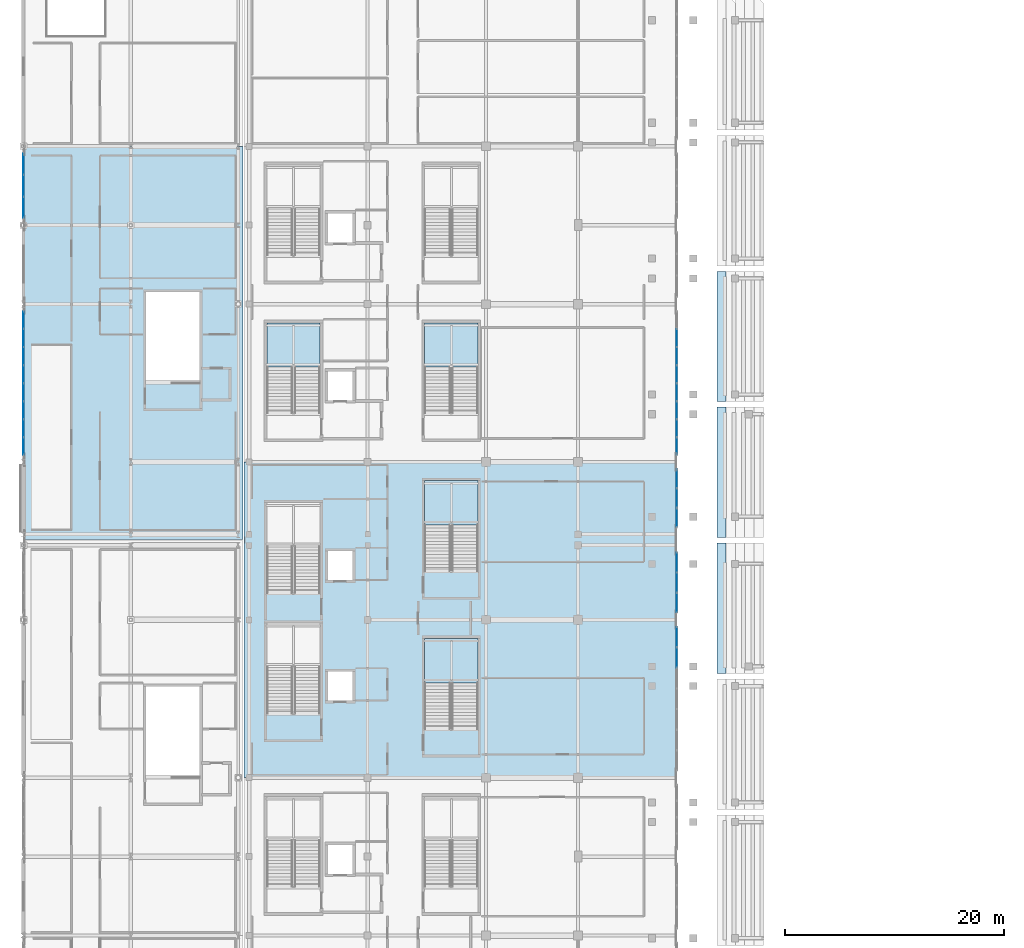
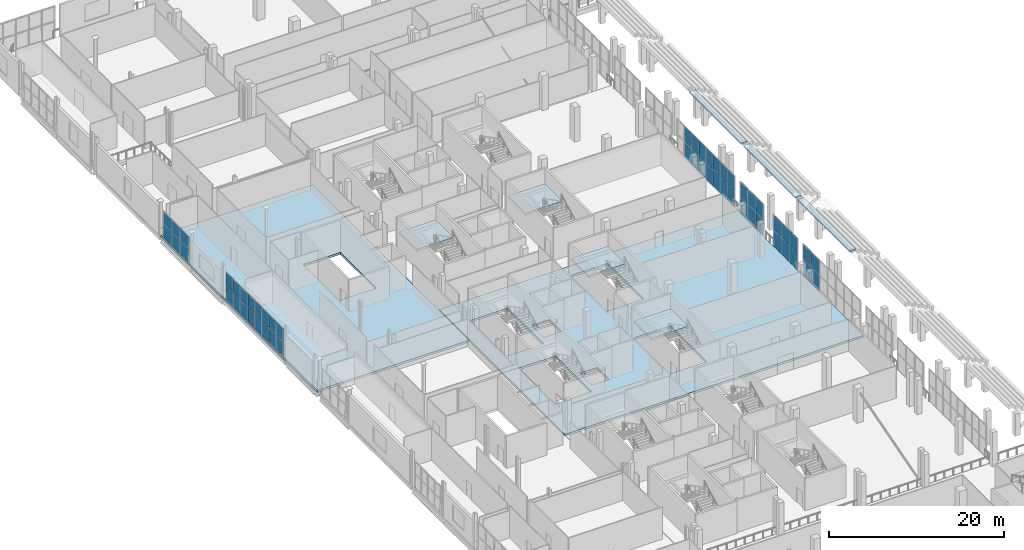
# One storey, part 76 of 142: 52 plates, 9 slabs, 10 elements without a shape of their own.
"""IFC4 building model written with IfcOpenShell, lengths in metres."""

import ifcopenshell
import ifcopenshell.guid

model = None  # the IFC model being written
_history = None  # IfcOwnerHistory: only IFC2X3 demands one
_inside = {}  # id of a spatial element -> (the spatial element, [elements in it])
_under = {}  # id of a project, library or spatial element -> (it, [spatial elements below it])
_declared = {}  # id of a project -> (the project, [libraries it declares])
_typed = {}  # id of a type object -> (the type object, [elements of that type])
_made_of = {}  # id of a material, layer set ... -> (it, [elements and type objects made of it])


def new_model(schema):
    """Start an empty IFC model of exactly this schema.

    Asked for "IFC4X3", IfcOpenShell would pick the latest addendum, in which some entities
    have other attributes; the version numbers below select the first issue.
    IFC2X3 requires an IfcOwnerHistory on every rooted entity: one is made here for all.
    """
    global model, _history
    if schema == "IFC4X3":
        model = ifcopenshell.file(schema_version=(4, 3, 0, 0))
    else:
        model = ifcopenshell.file(schema=schema)
    _inside.clear()
    _under.clear()
    _declared.clear()
    _typed.clear()
    _made_of.clear()
    _history = None
    if model.schema == "IFC2X3":
        org = make("IfcOrganization", Name="unknown")
        user = make(
            "IfcPersonAndOrganization",
            ThePerson=make("IfcPerson", FamilyName="unknown"),
            TheOrganization=org,
        )
        app = make(
            "IfcApplication",
            ApplicationDeveloper=org,
            Version="unknown",
            ApplicationFullName="unknown",
            ApplicationIdentifier="unknown",
        )
        _history = make(
            "IfcOwnerHistory",
            OwningUser=user,
            OwningApplication=app,
            ChangeAction="ADDED",
            CreationDate=0,
        )
    return model


def make(cls, **values):
    """One entity of the class cls with the attributes given. An attribute that is None is left unset."""
    return model.create_entity(
        cls, **{name: value for name, value in values.items() if value is not None}
    )


def rooted(cls, **values):
    """An entity with a GlobalId (a new one), such as an element, a storey or a relation."""
    return make(cls, GlobalId=ifcopenshell.guid.new(), OwnerHistory=_history, **values)


def si_unit(unit_type, name, prefix=None):
    """IfcSIUnit, for example si_unit("LENGTHUNIT", "METRE", prefix="MILLI")."""
    return make("IfcSIUnit", UnitType=unit_type, Prefix=prefix, Name=name)


def assignment(units):
    """IfcUnitAssignment: the units of a project."""
    return None if units is None else make("IfcUnitAssignment", Units=units)


def point(xyz):
    """IfcCartesianPoint."""
    return None if xyz is None else make("IfcCartesianPoint", Coordinates=xyz)


def direction(xyz):
    """IfcDirection."""
    return None if xyz is None else make("IfcDirection", DirectionRatios=xyz)


def frame(location, z_axis=None, x_axis=None):
    """IfcAxis2Placement3D, a coordinate frame: its origin and axes. An axis left out is left unset."""
    return make(
        "IfcAxis2Placement3D",
        Location=point(location),
        Axis=direction(z_axis),
        RefDirection=direction(x_axis),
    )


def frame_2d(location, x_axis=None):
    """IfcAxis2Placement2D, a coordinate frame in the plane: its origin and x axis."""
    return make(
        "IfcAxis2Placement2D", Location=point(location), RefDirection=direction(x_axis)
    )


def origin():
    """The frame at (0, 0, 0) with its axes left unset."""
    return frame((0.0, 0.0, 0.0))


def origin_2d():
    """The frame at (0, 0) in the plane with its x axis left unset."""
    return frame_2d((0.0, 0.0))


def place(relative_to, where):
    """IfcLocalPlacement: puts the frame where relative to a parent placement (None: the world)."""
    return make(
        "IfcLocalPlacement", PlacementRelTo=relative_to, RelativePlacement=where
    )


def context(
    kind, dimensions, precision=None, world=None, true_north=None, identifier=None
):
    """IfcGeometricRepresentationContext, for example the 3D "Model" context."""
    return make(
        "IfcGeometricRepresentationContext",
        ContextIdentifier=identifier,
        ContextType=kind,
        CoordinateSpaceDimension=dimensions,
        Precision=precision,
        WorldCoordinateSystem=world,
        TrueNorth=true_north,
    )


def subcontext(parent, identifier, kind, view, scale=None):
    """IfcGeometricRepresentationSubContext, for example "Body" below "Model"."""
    return make(
        "IfcGeometricRepresentationSubContext",
        ContextIdentifier=identifier,
        ContextType=kind,
        ParentContext=parent,
        TargetScale=scale,
        TargetView=view,
    )


def project(units=None, contexts=None):
    """IfcProject with its units and contexts."""
    return rooted(
        "IfcProject",
        Name="project",
        RepresentationContexts=contexts,
        UnitsInContext=assignment(units),
    )


def spatial(cls, under=None, at=None, **own):
    """A site, building, storey or space (cls), placed at a placement, below another one or the project."""
    s = rooted(cls, ObjectPlacement=at, **own)
    if under is not None:
        _under.setdefault(under.id(), (under, []))[1].append(s)
    return s


def polyline(points):
    """IfcPolyline through the points."""
    return make("IfcPolyline", Points=[point(p) for p in points])


def profile(cls, at=None, kind="AREA", **sizes):
    """A parametric profile (cls). Its sizes go by their IFC names, for example OverallWidth=200.0."""
    return make(cls, ProfileType=kind, Position=at, **sizes)


def rectangle(**sizes):
    """IfcRectangleProfileDef."""
    return profile("IfcRectangleProfileDef", **sizes)


def outline(outer, holes=None, kind="AREA"):
    """IfcArbitraryClosedProfileDef: a profile drawn as a closed curve; with holes, ...WithVoids."""
    if holes is None:
        return make("IfcArbitraryClosedProfileDef", ProfileType=kind, OuterCurve=outer)
    return make(
        "IfcArbitraryProfileDefWithVoids",
        ProfileType=kind,
        OuterCurve=outer,
        InnerCurves=holes,
    )


def extrude(swept, where, along, depth):
    """IfcExtrudedAreaSolid: the profile swept, set in the frame where, extruded along a direction by depth."""
    return make(
        "IfcExtrudedAreaSolid",
        SweptArea=swept,
        Position=where,
        ExtrudedDirection=direction(along),
        Depth=depth,
    )


def shape(context_of_items, identifier, shape_type, items):
    """IfcShapeRepresentation: the items that make up one representation, for example the "Body"."""
    return make(
        "IfcShapeRepresentation",
        ContextOfItems=context_of_items,
        RepresentationIdentifier=identifier,
        RepresentationType=shape_type,
        Items=items,
    )


def material(Name=None, Category=None):
    """IfcMaterial."""
    return make("IfcMaterial", Name=Name, Category=Category)


def layer(
    of_material, thickness, ventilated=None, Name=None, Category=None, Priority=None
):
    """IfcMaterialLayer: one layer of a wall or slab, of a material (None: an air gap)."""
    return make(
        "IfcMaterialLayer",
        Material=of_material,
        LayerThickness=thickness,
        IsVentilated=ventilated,
        Name=Name,
        Category=Category,
        Priority=Priority,
    )


def layer_set(layers, Name=None):
    """IfcMaterialLayerSet."""
    return make("IfcMaterialLayerSet", MaterialLayers=layers, LayerSetName=Name)


def made_of(thing, what):
    """Note that an element or type object is made of a material, layer set ...; save() writes the relation."""
    if what is not None:
        _made_of.setdefault(what.id(), (what, []))[1].append(thing)
    return thing


def type_object(cls, material=None, **own):
    """A type object (cls), such as IfcWallType, which elements share."""
    return made_of(rooted(cls, **own), material)


def element(
    cls,
    number,
    at=None,
    inside=None,
    cuts=None,
    type_object=None,
    material=None,
    context=None,
    identifier="Body",
    shape_type=None,
    held_by="IfcProductDefinitionShape",
    body=None,
    shapes=None,
    **own,
):
    """One element of the class cls, such as IfcWall. Its Tag is "e" and its number.

    at: its placement. inside: the storey or other place that contains it. cuts: it is an
    opening in that element (IfcRelVoidsElement). A single representation is given by context,
    identifier, shape_type and body (its items); several are given by shapes. held_by: the class
    of the entity that holds the representations. save() writes the other relations.
    """
    e = rooted(cls, Tag="e%d" % number, ObjectPlacement=at, **own)
    if body is not None:
        shapes = [shape(context, identifier, shape_type, body)]
    if shapes is not None:
        e.Representation = make(held_by, Representations=shapes)
    if inside is not None:
        _inside.setdefault(inside.id(), (inside, []))[1].append(e)
    if cuts is not None:
        rooted(
            "IfcRelVoidsElement", RelatingBuildingElement=cuts, RelatedOpeningElement=e
        )
    if type_object is not None:
        _typed.setdefault(type_object.id(), (type_object, []))[1].append(e)
    return made_of(e, material)


def aggregate(whole, parts):
    """IfcRelAggregates: a whole, such as a stair, and the parts it consists of."""
    return rooted("IfcRelAggregates", RelatingObject=whole, RelatedObjects=parts)


def save(model, path):
    """Write the relations noted so far, then the file.

    IfcRelAggregates (storeys below a building ...), IfcRelContainedInSpatialStructure (elements
    in a storey), IfcRelDefinesByType, IfcRelAssociatesMaterial and IfcRelDeclares: one each for
    every whole, place, type object, material and project.
    """
    for whole, parts in _under.values():
        aggregate(whole, parts)
    for where, things in _inside.values():
        rooted(
            "IfcRelContainedInSpatialStructure",
            RelatedElements=things,
            RelatingStructure=where,
        )
    for kind, things in _typed.values():
        rooted("IfcRelDefinesByType", RelatedObjects=things, RelatingType=kind)
    for what, things in _made_of.values():
        rooted("IfcRelAssociatesMaterial", RelatedObjects=things, RelatingMaterial=what)
    for by, libraries in _declared.values():
        rooted("IfcRelDeclares", RelatingContext=by, RelatedDefinitions=libraries)
    model.write(path)


model = new_model("IFC4")

# Units and contexts
model_context = context("Model", 3, precision=1e-05, world=origin(), true_north=direction((0.0, 1.0)))
body_context = subcontext(model_context, "Body", "Model", "MODEL_VIEW")
ifc_project = project(units=[si_unit("LENGTHUNIT", "METRE"), si_unit("AREAUNIT", "SQUARE_METRE"), si_unit("VOLUMEUNIT", "CUBIC_METRE"), si_unit("PLANEANGLEUNIT", "RADIAN"), si_unit("MASSUNIT", "GRAM", prefix="KILO")], contexts=[model_context])

# Site, building, storey
site_placement = place(None, origin())
site = spatial("IfcSite", under=ifc_project, at=site_placement, CompositionType="ELEMENT")
building_placement = place(site_placement, origin())
building = spatial("IfcBuilding", under=site, at=building_placement, Name="Koshinbarg Plaza Stadium", CompositionType="ELEMENT")
storey_placement = place(building_placement, frame((0.0, 0.0, 10.199951171875)))
storey = spatial("IfcBuildingStorey", under=building, at=storey_placement, Name="L02", CompositionType="ELEMENT", Elevation=10.199951171875)

# Curtain wall, plates
ifc_material_1 = material(Name="Thermally broken anodised aluminium and low-E double glazing", Category="aluminium")
curtain_wall_type_1 = type_object("IfcCurtainWallType", Name="CW-SYS-11", PredefinedType="NOTDEFINED", material=ifc_material_1)
curtain_wall_1_placement = place(storey_placement, origin())
curtain_wall_1 = element("IfcCurtainWall", 1, at=curtain_wall_1_placement, inside=storey, type_object=curtain_wall_type_1, Name="L02 unitised curtain wall CW-L02-042", PredefinedType="NOTDEFINED")
ifc_material_2 = material(Name="Solar-control low-E double glazing unit", Category="glass")
ifc_layer_1 = layer(ifc_material_2, 0.028076171875)
ifc_layer_set_1 = layer_set([ifc_layer_1], Name="Solar-control low-E double glazing unit")
plate_type_1 = type_object("IfcPlateType", Name="CW-PNL-28", PredefinedType="CURTAIN_PANEL", material=ifc_layer_set_1)
plate_1_placement = place(storey_placement, frame((4.0, 84.5576171875, 0.06005859375), z_axis=(0.0, 0.0, 1.0), x_axis=(0.0, 1.0, 0.0)))
plate_1 = element("IfcPlate", 2, at=plate_1_placement, type_object=plate_type_1, Name="CW11 panel 1.1", PredefinedType="CURTAIN_PANEL", context=body_context, shape_type="SweptSolid", body=[
    extrude(rectangle(XDim=1.554931640625, YDim=0.028076171875, at=origin_2d()), origin(), (0.0, 0.0, 1.0), 1.974365234375),
])
plate_2_placement = place(storey_placement, frame((4.0, 84.5576171875, 2.09423828125), z_axis=(0.0, 0.0, 1.0), x_axis=(0.0, 1.0, 0.0)))
plate_2 = element("IfcPlate", 3, at=plate_2_placement, type_object=plate_type_1, Name="CW11 panel 1.2", PredefinedType="CURTAIN_PANEL", context=body_context, shape_type="SweptSolid", body=[
    extrude(rectangle(XDim=1.554931640625, YDim=0.028076171875, at=origin_2d()), origin(), (0.0, 0.0, 1.0), 1.815673828125),
])
plate_3_placement = place(storey_placement, frame((4.0, 86.1875, 0.06005859375), z_axis=(0.0, 0.0, 1.0), x_axis=(0.0, 1.0, 0.0)))
plate_3 = element("IfcPlate", 4, at=plate_3_placement, type_object=plate_type_1, Name="CW11 panel 2.1", PredefinedType="CURTAIN_PANEL", context=body_context, shape_type="SweptSolid", body=[
    extrude(rectangle(XDim=1.5849609375, YDim=0.028076171875, at=origin_2d()), origin(), (0.0, 0.0, 1.0), 1.974365234375),
])
plate_4_placement = place(storey_placement, frame((4.0, 86.1875, 2.09423828125), z_axis=(0.0, 0.0, 1.0), x_axis=(0.0, 1.0, 0.0)))
plate_4 = element("IfcPlate", 5, at=plate_4_placement, type_object=plate_type_1, Name="CW11 panel 2.2", PredefinedType="CURTAIN_PANEL", context=body_context, shape_type="SweptSolid", body=[
    extrude(rectangle(XDim=1.5849609375, YDim=0.028076171875, at=origin_2d()), origin(), (0.0, 0.0, 1.0), 1.815673828125),
])
plate_5_placement = place(storey_placement, frame((4.0, 87.83251953125, 0.06005859375), z_axis=(0.0, 0.0, 1.0), x_axis=(0.0, 1.0, 0.0)))
plate_5 = element("IfcPlate", 6, at=plate_5_placement, type_object=plate_type_1, Name="CW11 panel 3.1", PredefinedType="CURTAIN_PANEL", context=body_context, shape_type="SweptSolid", body=[
    extrude(rectangle(XDim=1.5849609375, YDim=0.028076171875, at=origin_2d()), origin(), (0.0, 0.0, 1.0), 1.974365234375),
])
plate_6_placement = place(storey_placement, frame((4.0, 87.83251953125, 2.09423828125), z_axis=(0.0, 0.0, 1.0), x_axis=(0.0, 1.0, 0.0)))
plate_6 = element("IfcPlate", 7, at=plate_6_placement, type_object=plate_type_1, Name="CW11 panel 3.2", PredefinedType="CURTAIN_PANEL", context=body_context, shape_type="SweptSolid", body=[
    extrude(rectangle(XDim=1.5849609375, YDim=0.028076171875, at=origin_2d()), origin(), (0.0, 0.0, 1.0), 1.815673828125),
])
plate_7_placement = place(storey_placement, frame((4.0, 89.4775390625, 0.06005859375), z_axis=(0.0, 0.0, 1.0), x_axis=(0.0, 1.0, 0.0)))
plate_7 = element("IfcPlate", 8, at=plate_7_placement, type_object=plate_type_1, Name="CW11 panel 4.1", PredefinedType="CURTAIN_PANEL", context=body_context, shape_type="SweptSolid", body=[
    extrude(rectangle(XDim=1.5849609375, YDim=0.028076171875, at=origin_2d()), origin(), (0.0, 0.0, 1.0), 1.974365234375),
])
plate_8_placement = place(storey_placement, frame((4.0, 89.4775390625, 2.09423828125), z_axis=(0.0, 0.0, 1.0), x_axis=(0.0, 1.0, 0.0)))
plate_8 = element("IfcPlate", 9, at=plate_8_placement, type_object=plate_type_1, Name="CW11 panel 4.2", PredefinedType="CURTAIN_PANEL", context=body_context, shape_type="SweptSolid", body=[
    extrude(rectangle(XDim=1.5849609375, YDim=0.028076171875, at=origin_2d()), origin(), (0.0, 0.0, 1.0), 1.815673828125),
])
plate_9_placement = place(storey_placement, frame((4.0, 91.12255859375, 0.06005859375), z_axis=(0.0, 0.0, 1.0), x_axis=(0.0, 1.0, 0.0)))
plate_9 = element("IfcPlate", 10, at=plate_9_placement, type_object=plate_type_1, Name="CW11 panel 5.1", PredefinedType="CURTAIN_PANEL", context=body_context, shape_type="SweptSolid", body=[
    extrude(rectangle(XDim=1.5849609375, YDim=0.028076171875, at=origin_2d()), origin(), (0.0, 0.0, 1.0), 1.974365234375),
])
plate_10_placement = place(storey_placement, frame((4.0, 91.12255859375, 2.09423828125), z_axis=(0.0, 0.0, 1.0), x_axis=(0.0, 1.0, 0.0)))
plate_10 = element("IfcPlate", 11, at=plate_10_placement, type_object=plate_type_1, Name="CW11 panel 5.2", PredefinedType="CURTAIN_PANEL", context=body_context, shape_type="SweptSolid", body=[
    extrude(rectangle(XDim=1.5849609375, YDim=0.028076171875, at=origin_2d()), origin(), (0.0, 0.0, 1.0), 1.815673828125),
])
plate_11_placement = place(storey_placement, frame((4.0, 92.767578125, 0.06005859375), z_axis=(0.0, 0.0, 1.0), x_axis=(0.0, 1.0, 0.0)))
plate_11 = element("IfcPlate", 12, at=plate_11_placement, type_object=plate_type_1, Name="CW11 panel 6.1", PredefinedType="CURTAIN_PANEL", context=body_context, shape_type="SweptSolid", body=[
    extrude(rectangle(XDim=1.5849609375, YDim=0.028076171875, at=origin_2d()), origin(), (0.0, 0.0, 1.0), 1.974365234375),
])
plate_12_placement = place(storey_placement, frame((4.0, 92.767578125, 2.09423828125), z_axis=(0.0, 0.0, 1.0), x_axis=(0.0, 1.0, 0.0)))
plate_12 = element("IfcPlate", 13, at=plate_12_placement, type_object=plate_type_1, Name="CW11 panel 6.2", PredefinedType="CURTAIN_PANEL", context=body_context, shape_type="SweptSolid", body=[
    extrude(rectangle(XDim=1.5849609375, YDim=0.028076171875, at=origin_2d()), origin(), (0.0, 0.0, 1.0), 1.815673828125),
])
plate_13_placement = place(storey_placement, frame((4.0, 94.41259765625, 0.06005859375), z_axis=(0.0, 0.0, 1.0), x_axis=(0.0, 1.0, 0.0)))
plate_13 = element("IfcPlate", 14, at=plate_13_placement, type_object=plate_type_1, Name="CW11 panel 7.1", PredefinedType="CURTAIN_PANEL", context=body_context, shape_type="SweptSolid", body=[
    extrude(rectangle(XDim=1.5849609375, YDim=0.028076171875, at=origin_2d()), origin(), (0.0, 0.0, 1.0), 1.974365234375),
])
plate_14_placement = place(storey_placement, frame((4.0, 94.41259765625, 2.09423828125), z_axis=(0.0, 0.0, 1.0), x_axis=(0.0, 1.0, 0.0)))
plate_14 = element("IfcPlate", 15, at=plate_14_placement, type_object=plate_type_1, Name="CW11 panel 7.2", PredefinedType="CURTAIN_PANEL", context=body_context, shape_type="SweptSolid", body=[
    extrude(rectangle(XDim=1.5849609375, YDim=0.028076171875, at=origin_2d()), origin(), (0.0, 0.0, 1.0), 1.815673828125),
])
plate_15_placement = place(storey_placement, frame((4.0, 96.04248046875, 0.06005859375), z_axis=(0.0, 0.0, 1.0), x_axis=(0.0, 1.0, 0.0)))
plate_15 = element("IfcPlate", 16, at=plate_15_placement, type_object=plate_type_1, Name="CW11 panel 8.1", PredefinedType="CURTAIN_PANEL", context=body_context, shape_type="SweptSolid", body=[
    extrude(rectangle(XDim=1.554931640625, YDim=0.028076171875, at=origin_2d()), origin(), (0.0, 0.0, 1.0), 1.974365234375),
])
plate_16_placement = place(storey_placement, frame((4.0, 96.04248046875, 2.09423828125), z_axis=(0.0, 0.0, 1.0), x_axis=(0.0, 1.0, 0.0)))
plate_16 = element("IfcPlate", 17, at=plate_16_placement, type_object=plate_type_1, Name="CW11 panel 8.2", PredefinedType="CURTAIN_PANEL", context=body_context, shape_type="SweptSolid", body=[
    extrude(rectangle(XDim=1.554931640625, YDim=0.028076171875, at=origin_2d()), origin(), (0.0, 0.0, 1.0), 1.815673828125),
])
aggregate(curtain_wall_1, [plate_1, plate_2, plate_3, plate_4, plate_5, plate_6, plate_7, plate_8, plate_9, plate_10, plate_11, plate_12, plate_13, plate_14, plate_15, plate_16])

curtain_wall_2_placement = place(storey_placement, origin())
curtain_wall_2 = element("IfcCurtainWall", 18, at=curtain_wall_2_placement, inside=storey, type_object=curtain_wall_type_1, Name="L02 unitised curtain wall CW-L02-074", PredefinedType="NOTDEFINED")
plate_17_placement = place(storey_placement, frame((63.60009765625, 94.41259765625, 0.06005859375), z_axis=(0.0, 0.0, 1.0), x_axis=(0.0, -1.0, 0.0)))
plate_17 = element("IfcPlate", 19, at=plate_17_placement, type_object=plate_type_1, Name="CW11 panel 2.1", PredefinedType="CURTAIN_PANEL", context=body_context, shape_type="SweptSolid", body=[
    extrude(rectangle(XDim=1.5849609375, YDim=0.028076171875, at=origin_2d()), origin(), (0.0, 0.0, 1.0), 2.239501953125),
])
plate_18_placement = place(storey_placement, frame((63.60009765625, 94.41259765625, 2.35986328125), z_axis=(0.0, 0.0, 1.0), x_axis=(0.0, -1.0, 0.0)))
plate_18 = element("IfcPlate", 20, at=plate_18_placement, type_object=plate_type_1, Name="CW11 panel 2.2", PredefinedType="CURTAIN_PANEL", context=body_context, shape_type="SweptSolid", body=[
    extrude(rectangle(XDim=1.5849609375, YDim=0.028076171875, at=origin_2d()), origin(), (0.0, 0.0, 1.0), 2.060302734375),
])
plate_19_placement = place(storey_placement, frame((63.60009765625, 92.767578125, 0.06005859375), z_axis=(0.0, 0.0, 1.0), x_axis=(0.0, -1.0, 0.0)))
plate_19 = element("IfcPlate", 21, at=plate_19_placement, type_object=plate_type_1, Name="CW11 panel 3.1", PredefinedType="CURTAIN_PANEL", context=body_context, shape_type="SweptSolid", body=[
    extrude(rectangle(XDim=1.5849609375, YDim=0.028076171875, at=origin_2d()), origin(), (0.0, 0.0, 1.0), 2.239501953125),
])
plate_20_placement = place(storey_placement, frame((63.60009765625, 92.767578125, 2.35986328125), z_axis=(0.0, 0.0, 1.0), x_axis=(0.0, -1.0, 0.0)))
plate_20 = element("IfcPlate", 22, at=plate_20_placement, type_object=plate_type_1, Name="CW11 panel 3.2", PredefinedType="CURTAIN_PANEL", context=body_context, shape_type="SweptSolid", body=[
    extrude(rectangle(XDim=1.5849609375, YDim=0.028076171875, at=origin_2d()), origin(), (0.0, 0.0, 1.0), 2.060302734375),
])
plate_21_placement = place(storey_placement, frame((63.60009765625, 91.12255859375, 0.06005859375), z_axis=(0.0, 0.0, 1.0), x_axis=(0.0, -1.0, 0.0)))
plate_21 = element("IfcPlate", 23, at=plate_21_placement, type_object=plate_type_1, Name="CW11 panel 4.1", PredefinedType="CURTAIN_PANEL", context=body_context, shape_type="SweptSolid", body=[
    extrude(rectangle(XDim=1.5849609375, YDim=0.028076171875, at=origin_2d()), origin(), (0.0, 0.0, 1.0), 2.239501953125),
])
plate_22_placement = place(storey_placement, frame((63.60009765625, 91.12255859375, 2.35986328125), z_axis=(0.0, 0.0, 1.0), x_axis=(0.0, -1.0, 0.0)))
plate_22 = element("IfcPlate", 24, at=plate_22_placement, type_object=plate_type_1, Name="CW11 panel 4.2", PredefinedType="CURTAIN_PANEL", context=body_context, shape_type="SweptSolid", body=[
    extrude(rectangle(XDim=1.5849609375, YDim=0.028076171875, at=origin_2d()), origin(), (0.0, 0.0, 1.0), 2.060302734375),
])
plate_23_placement = place(storey_placement, frame((63.60009765625, 89.4775390625, 0.06005859375), z_axis=(0.0, 0.0, 1.0), x_axis=(0.0, -1.0, 0.0)))
plate_23 = element("IfcPlate", 25, at=plate_23_placement, type_object=plate_type_1, Name="CW11 panel 5.1", PredefinedType="CURTAIN_PANEL", context=body_context, shape_type="SweptSolid", body=[
    extrude(rectangle(XDim=1.5849609375, YDim=0.028076171875, at=origin_2d()), origin(), (0.0, 0.0, 1.0), 2.239501953125),
])
plate_24_placement = place(storey_placement, frame((63.60009765625, 89.4775390625, 2.35986328125), z_axis=(0.0, 0.0, 1.0), x_axis=(0.0, -1.0, 0.0)))
plate_24 = element("IfcPlate", 26, at=plate_24_placement, type_object=plate_type_1, Name="CW11 panel 5.2", PredefinedType="CURTAIN_PANEL", context=body_context, shape_type="SweptSolid", body=[
    extrude(rectangle(XDim=1.5849609375, YDim=0.028076171875, at=origin_2d()), origin(), (0.0, 0.0, 1.0), 2.060302734375),
])
plate_25_placement = place(storey_placement, frame((63.60009765625, 87.83251953125, 0.06005859375), z_axis=(0.0, 0.0, 1.0), x_axis=(0.0, -1.0, 0.0)))
plate_25 = element("IfcPlate", 27, at=plate_25_placement, type_object=plate_type_1, Name="CW11 panel 6.1", PredefinedType="CURTAIN_PANEL", context=body_context, shape_type="SweptSolid", body=[
    extrude(rectangle(XDim=1.5849609375, YDim=0.028076171875, at=origin_2d()), origin(), (0.0, 0.0, 1.0), 2.239501953125),
])
plate_26_placement = place(storey_placement, frame((63.60009765625, 87.83251953125, 2.35986328125), z_axis=(0.0, 0.0, 1.0), x_axis=(0.0, -1.0, 0.0)))
plate_26 = element("IfcPlate", 28, at=plate_26_placement, type_object=plate_type_1, Name="CW11 panel 6.2", PredefinedType="CURTAIN_PANEL", context=body_context, shape_type="SweptSolid", body=[
    extrude(rectangle(XDim=1.5849609375, YDim=0.028076171875, at=origin_2d()), origin(), (0.0, 0.0, 1.0), 2.060302734375),
])
plate_27_placement = place(storey_placement, frame((63.60009765625, 86.1875, 0.06005859375), z_axis=(0.0, 0.0, 1.0), x_axis=(0.0, -1.0, 0.0)))
plate_27 = element("IfcPlate", 29, at=plate_27_placement, type_object=plate_type_1, Name="CW11 panel 7.1", PredefinedType="CURTAIN_PANEL", context=body_context, shape_type="SweptSolid", body=[
    extrude(rectangle(XDim=1.5849609375, YDim=0.028076171875, at=origin_2d()), origin(), (0.0, 0.0, 1.0), 2.239501953125),
])
plate_28_placement = place(storey_placement, frame((63.60009765625, 86.1875, 2.35986328125), z_axis=(0.0, 0.0, 1.0), x_axis=(0.0, -1.0, 0.0)))
plate_28 = element("IfcPlate", 30, at=plate_28_placement, type_object=plate_type_1, Name="CW11 panel 7.2", PredefinedType="CURTAIN_PANEL", context=body_context, shape_type="SweptSolid", body=[
    extrude(rectangle(XDim=1.5849609375, YDim=0.028076171875, at=origin_2d()), origin(), (0.0, 0.0, 1.0), 2.060302734375),
])
plate_29_placement = place(storey_placement, frame((63.60009765625, 84.5576171875, 0.06005859375), z_axis=(0.0, 0.0, 1.0), x_axis=(0.0, -1.0, 0.0)))
plate_29 = element("IfcPlate", 31, at=plate_29_placement, type_object=plate_type_1, Name="CW11 panel 8.1", PredefinedType="CURTAIN_PANEL", context=body_context, shape_type="SweptSolid", body=[
    extrude(rectangle(XDim=1.554931640625, YDim=0.028076171875, at=origin_2d()), origin(), (0.0, 0.0, 1.0), 2.239501953125),
])
plate_30_placement = place(storey_placement, frame((63.60009765625, 84.5576171875, 2.35986328125), z_axis=(0.0, 0.0, 1.0), x_axis=(0.0, -1.0, 0.0)))
plate_30 = element("IfcPlate", 32, at=plate_30_placement, type_object=plate_type_1, Name="CW11 panel 8.2", PredefinedType="CURTAIN_PANEL", context=body_context, shape_type="SweptSolid", body=[
    extrude(rectangle(XDim=1.554931640625, YDim=0.028076171875, at=origin_2d()), origin(), (0.0, 0.0, 1.0), 2.060302734375),
])
aggregate(curtain_wall_2, [plate_17, plate_18, plate_19, plate_20, plate_21, plate_22, plate_23, plate_24, plate_25, plate_26, plate_27, plate_28, plate_29, plate_30])

curtain_wall_type_2 = type_object("IfcCurtainWallType", Name="CW-SYS-13", PredefinedType="NOTDEFINED", material=ifc_material_1)
curtain_wall_3_placement = place(storey_placement, origin())
curtain_wall_3 = element("IfcCurtainWall", 33, at=curtain_wall_3_placement, inside=storey, type_object=curtain_wall_type_2, Name="L02 unitised curtain wall CW-L02-076", PredefinedType="NOTDEFINED")
plate_31_placement = place(storey_placement, frame((63.60009765625, 73.938232421875, 0.06005859375), z_axis=(0.0, 0.0, 1.0), x_axis=(0.0, -1.0, 0.0)))
plate_31 = element("IfcPlate", 34, at=plate_31_placement, type_object=plate_type_1, Name="CW13 panel 1.1", PredefinedType="CURTAIN_PANEL", context=body_context, shape_type="SweptSolid", body=[
    extrude(rectangle(XDim=1.763427734375, YDim=0.028076171875, at=origin_2d()), origin(), (0.0, 0.0, 1.0), 2.239501953125),
])
plate_32_placement = place(storey_placement, frame((63.60009765625, 73.938232421875, 2.35986328125), z_axis=(0.0, 0.0, 1.0), x_axis=(0.0, -1.0, 0.0)))
plate_32 = element("IfcPlate", 35, at=plate_32_placement, type_object=plate_type_1, Name="CW13 panel 1.2", PredefinedType="CURTAIN_PANEL", context=body_context, shape_type="SweptSolid", body=[
    extrude(rectangle(XDim=1.763427734375, YDim=0.028076171875, at=origin_2d()), origin(), (0.0, 0.0, 1.0), 2.060302734375),
])
plate_33_placement = place(storey_placement, frame((63.60009765625, 72.10009765625, 0.06005859375), z_axis=(0.0, 0.0, 1.0), x_axis=(0.0, -1.0, 0.0)))
plate_33 = element("IfcPlate", 36, at=plate_33_placement, type_object=plate_type_1, Name="CW13 panel 2.1", PredefinedType="CURTAIN_PANEL", context=body_context, shape_type="SweptSolid", body=[
    extrude(rectangle(XDim=1.793212890625, YDim=0.028076171875, at=origin_2d()), origin(), (0.0, 0.0, 1.0), 2.239501953125),
])
plate_34_placement = place(storey_placement, frame((63.60009765625, 72.10009765625, 2.35986328125), z_axis=(0.0, 0.0, 1.0), x_axis=(0.0, -1.0, 0.0)))
plate_34 = element("IfcPlate", 37, at=plate_34_placement, type_object=plate_type_1, Name="CW13 panel 2.2", PredefinedType="CURTAIN_PANEL", context=body_context, shape_type="SweptSolid", body=[
    extrude(rectangle(XDim=1.793212890625, YDim=0.028076171875, at=origin_2d()), origin(), (0.0, 0.0, 1.0), 2.060302734375),
])
plate_35_placement = place(storey_placement, frame((63.60009765625, 70.26171875, 0.06005859375), z_axis=(0.0, 0.0, 1.0), x_axis=(0.0, -1.0, 0.0)))
plate_35 = element("IfcPlate", 38, at=plate_35_placement, type_object=plate_type_1, Name="CW13 panel 3.1", PredefinedType="CURTAIN_PANEL", context=body_context, shape_type="SweptSolid", body=[
    extrude(rectangle(XDim=1.763427734375, YDim=0.028076171875, at=origin_2d()), origin(), (0.0, 0.0, 1.0), 2.239501953125),
])
plate_36_placement = place(storey_placement, frame((63.60009765625, 70.26171875, 2.35986328125), z_axis=(0.0, 0.0, 1.0), x_axis=(0.0, -1.0, 0.0)))
plate_36 = element("IfcPlate", 39, at=plate_36_placement, type_object=plate_type_1, Name="CW13 panel 3.2", PredefinedType="CURTAIN_PANEL", context=body_context, shape_type="SweptSolid", body=[
    extrude(rectangle(XDim=1.763427734375, YDim=0.028076171875, at=origin_2d()), origin(), (0.0, 0.0, 1.0), 2.060302734375),
])
aggregate(curtain_wall_3, [plate_31, plate_32, plate_33, plate_34, plate_35, plate_36])

curtain_wall_type_3 = type_object("IfcCurtainWallType", Name="CW-SYS-12", PredefinedType="NOTDEFINED", material=ifc_material_1)
curtain_wall_4_placement = place(storey_placement, origin())
curtain_wall_4 = element("IfcCurtainWall", 40, at=curtain_wall_4_placement, inside=storey, type_object=curtain_wall_type_3, Name="L02 unitised curtain wall CW-L02-043", PredefinedType="NOTDEFINED")
ifc_material_3 = material(Name="Acoustic solar-control double glazing unit", Category="glass")
ifc_layer_2 = layer(ifc_material_3, 0.031982421875)
ifc_layer_set_2 = layer_set([ifc_layer_2], Name="Acoustic solar-control double glazing unit")
plate_type_2 = type_object("IfcPlateType", Name="CW-PNL-32", PredefinedType="CURTAIN_PANEL", material=ifc_layer_set_2)
plate_37_placement = place(storey_placement, frame((4.0, 106.328369140625, 0.06005859375), z_axis=(0.0, 0.0, 1.0), x_axis=(0.0, 1.0, 0.0)))
plate_37 = element("IfcPlate", 41, at=plate_37_placement, type_object=plate_type_2, Name="CW12 panel 1.1", PredefinedType="CURTAIN_PANEL", context=body_context, shape_type="SweptSolid", body=[
    extrude(rectangle(XDim=1.896728515625, YDim=0.031982421875, at=origin_2d()), origin(), (0.0, 0.0, 1.0), 1.844482421875),
])
plate_38_placement = place(storey_placement, frame((4.0, 106.328369140625, 1.96435546875), z_axis=(0.0, 0.0, 1.0), x_axis=(0.0, 1.0, 0.0)))
plate_38 = element("IfcPlate", 42, at=plate_38_placement, type_object=plate_type_2, Name="CW12 panel 1.2", PredefinedType="CURTAIN_PANEL", context=body_context, shape_type="SweptSolid", body=[
    extrude(rectangle(XDim=1.896728515625, YDim=0.031982421875, at=origin_2d()), origin(), (0.0, 0.0, 1.0), 1.695556640625),
])
plate_39_placement = place(storey_placement, frame((4.0, 108.300048828125, 0.06005859375), z_axis=(0.0, 0.0, 1.0), x_axis=(0.0, 1.0, 0.0)))
plate_39 = element("IfcPlate", 43, at=plate_39_placement, type_object=plate_type_2, Name="CW12 panel 2.1", PredefinedType="CURTAIN_PANEL", context=body_context, shape_type="SweptSolid", body=[
    extrude(rectangle(XDim=1.9267578125, YDim=0.031982421875, at=origin_2d()), origin(), (0.0, 0.0, 1.0), 1.844482421875),
])
plate_40_placement = place(storey_placement, frame((4.0, 108.300048828125, 1.96435546875), z_axis=(0.0, 0.0, 1.0), x_axis=(0.0, 1.0, 0.0)))
plate_40 = element("IfcPlate", 44, at=plate_40_placement, type_object=plate_type_2, Name="CW12 panel 2.2", PredefinedType="CURTAIN_PANEL", context=body_context, shape_type="SweptSolid", body=[
    extrude(rectangle(XDim=1.9267578125, YDim=0.031982421875, at=origin_2d()), origin(), (0.0, 0.0, 1.0), 1.695556640625),
])
plate_41_placement = place(storey_placement, frame((4.0, 110.271728515625, 0.06005859375), z_axis=(0.0, 0.0, 1.0), x_axis=(0.0, 1.0, 0.0)))
plate_41 = element("IfcPlate", 45, at=plate_41_placement, type_object=plate_type_2, Name="CW12 panel 3.1", PredefinedType="CURTAIN_PANEL", context=body_context, shape_type="SweptSolid", body=[
    extrude(rectangle(XDim=1.896728515625, YDim=0.031982421875, at=origin_2d()), origin(), (0.0, 0.0, 1.0), 1.844482421875),
])
plate_42_placement = place(storey_placement, frame((4.0, 110.271728515625, 1.96435546875), z_axis=(0.0, 0.0, 1.0), x_axis=(0.0, 1.0, 0.0)))
plate_42 = element("IfcPlate", 46, at=plate_42_placement, type_object=plate_type_2, Name="CW12 panel 3.2", PredefinedType="CURTAIN_PANEL", context=body_context, shape_type="SweptSolid", body=[
    extrude(rectangle(XDim=1.896728515625, YDim=0.031982421875, at=origin_2d()), origin(), (0.0, 0.0, 1.0), 1.695556640625),
])
aggregate(curtain_wall_4, [plate_37, plate_38, plate_39, plate_40, plate_41, plate_42])

curtain_wall_5_placement = place(storey_placement, origin())
curtain_wall_5 = element("IfcCurtainWall", 47, at=curtain_wall_5_placement, inside=storey, type_object=curtain_wall_type_3, Name="L02 unitised curtain wall CW-L02-075", PredefinedType="NOTDEFINED")
plate_43_placement = place(storey_placement, frame((63.60009765625, 81.57177734375, 0.06005859375), z_axis=(0.0, 0.0, 1.0), x_axis=(0.0, -1.0, 0.0)))
plate_43 = element("IfcPlate", 48, at=plate_43_placement, type_object=plate_type_2, Name="CW12 panel 1.1", PredefinedType="CURTAIN_PANEL", context=body_context, shape_type="SweptSolid", body=[
    extrude(rectangle(XDim=1.69677734375, YDim=0.031982421875, at=origin_2d()), origin(), (0.0, 0.0, 1.0), 2.239501953125),
])
plate_44_placement = place(storey_placement, frame((63.60009765625, 81.57177734375, 2.35986328125), z_axis=(0.0, 0.0, 1.0), x_axis=(0.0, -1.0, 0.0)))
plate_44 = element("IfcPlate", 49, at=plate_44_placement, type_object=plate_type_2, Name="CW12 panel 1.2", PredefinedType="CURTAIN_PANEL", context=body_context, shape_type="SweptSolid", body=[
    extrude(rectangle(XDim=1.69677734375, YDim=0.031982421875, at=origin_2d()), origin(), (0.0, 0.0, 1.0), 2.060302734375),
])
plate_45_placement = place(storey_placement, frame((63.60009765625, 79.800048828125, 0.06005859375), z_axis=(0.0, 0.0, 1.0), x_axis=(0.0, -1.0, 0.0)))
plate_45 = element("IfcPlate", 50, at=plate_45_placement, type_object=plate_type_2, Name="CW12 panel 2.1", PredefinedType="CURTAIN_PANEL", context=body_context, shape_type="SweptSolid", body=[
    extrude(rectangle(XDim=1.7265625, YDim=0.031982421875, at=origin_2d()), origin(), (0.0, 0.0, 1.0), 2.239501953125),
])
plate_46_placement = place(storey_placement, frame((63.60009765625, 79.800048828125, 2.35986328125), z_axis=(0.0, 0.0, 1.0), x_axis=(0.0, -1.0, 0.0)))
plate_46 = element("IfcPlate", 51, at=plate_46_placement, type_object=plate_type_2, Name="CW12 panel 2.2", PredefinedType="CURTAIN_PANEL", context=body_context, shape_type="SweptSolid", body=[
    extrude(rectangle(XDim=1.7265625, YDim=0.031982421875, at=origin_2d()), origin(), (0.0, 0.0, 1.0), 2.060302734375),
])
plate_47_placement = place(storey_placement, frame((63.60009765625, 78.0283203125, 0.06005859375), z_axis=(0.0, 0.0, 1.0), x_axis=(0.0, -1.0, 0.0)))
plate_47 = element("IfcPlate", 52, at=plate_47_placement, type_object=plate_type_2, Name="CW12 panel 3.1", PredefinedType="CURTAIN_PANEL", context=body_context, shape_type="SweptSolid", body=[
    extrude(rectangle(XDim=1.69677734375, YDim=0.031982421875, at=origin_2d()), origin(), (0.0, 0.0, 1.0), 2.239501953125),
])
plate_48_placement = place(storey_placement, frame((63.60009765625, 78.0283203125, 2.35986328125), z_axis=(0.0, 0.0, 1.0), x_axis=(0.0, -1.0, 0.0)))
plate_48 = element("IfcPlate", 53, at=plate_48_placement, type_object=plate_type_2, Name="CW12 panel 3.2", PredefinedType="CURTAIN_PANEL", context=body_context, shape_type="SweptSolid", body=[
    extrude(rectangle(XDim=1.69677734375, YDim=0.031982421875, at=origin_2d()), origin(), (0.0, 0.0, 1.0), 2.060302734375),
])
aggregate(curtain_wall_5, [plate_43, plate_44, plate_45, plate_46, plate_47, plate_48])

curtain_wall_type_4 = type_object("IfcCurtainWallType", Name="CW-SYS-14", PredefinedType="NOTDEFINED", material=ifc_material_1)
curtain_wall_6_placement = place(storey_placement, origin())
curtain_wall_6 = element("IfcCurtainWall", 54, at=curtain_wall_6_placement, inside=storey, type_object=curtain_wall_type_4, Name="L02 unitised curtain wall CW-L02-077", PredefinedType="NOTDEFINED")
plate_49_placement = place(storey_placement, frame((63.60009765625, 67.125, 0.06005859375), z_axis=(0.0, 0.0, 1.0), x_axis=(0.0, -1.0, 0.0)))
plate_49 = element("IfcPlate", 55, at=plate_49_placement, type_object=plate_type_2, Name="CW14 panel 1.1", PredefinedType="CURTAIN_PANEL", context=body_context, shape_type="SweptSolid", body=[
    extrude(rectangle(XDim=1.7900390625, YDim=0.031982421875, at=origin_2d()), origin(), (0.0, 0.0, 1.0), 2.239501953125),
])
plate_50_placement = place(storey_placement, frame((63.60009765625, 67.125, 2.35986328125), z_axis=(0.0, 0.0, 1.0), x_axis=(0.0, -1.0, 0.0)))
plate_50 = element("IfcPlate", 56, at=plate_50_placement, type_object=plate_type_2, Name="CW14 panel 1.2", PredefinedType="CURTAIN_PANEL", context=body_context, shape_type="SweptSolid", body=[
    extrude(rectangle(XDim=1.7900390625, YDim=0.031982421875, at=origin_2d()), origin(), (0.0, 0.0, 1.0), 2.060302734375),
])
plate_51_placement = place(storey_placement, frame((63.60009765625, 65.260009765625, 0.06005859375), z_axis=(0.0, 0.0, 1.0), x_axis=(0.0, -1.0, 0.0)))
plate_51 = element("IfcPlate", 57, at=plate_51_placement, type_object=plate_type_2, Name="CW14 panel 2.1", PredefinedType="CURTAIN_PANEL", context=body_context, shape_type="SweptSolid", body=[
    extrude(rectangle(XDim=1.820068359375, YDim=0.031982421875, at=origin_2d()), origin(), (0.0, 0.0, 1.0), 2.239501953125),
])
plate_52_placement = place(storey_placement, frame((63.60009765625, 65.260009765625, 2.35986328125), z_axis=(0.0, 0.0, 1.0), x_axis=(0.0, -1.0, 0.0)))
plate_52 = element("IfcPlate", 58, at=plate_52_placement, type_object=plate_type_2, Name="CW14 panel 2.2", PredefinedType="CURTAIN_PANEL", context=body_context, shape_type="SweptSolid", body=[
    extrude(rectangle(XDim=1.820068359375, YDim=0.031982421875, at=origin_2d()), origin(), (0.0, 0.0, 1.0), 2.060302734375),
])
aggregate(curtain_wall_6, [plate_49, plate_50, plate_51, plate_52])

# Slabs
ifc_material_4 = material(Name="Concrete C35/45", Category="concrete")
ifc_layer_3 = layer(ifc_material_4, 0.300048828125)
ifc_layer_set_3 = layer_set([ifc_layer_3], Name="Concrete C35/45")
slab_type_1 = type_object("IfcSlabType", Name="SL-FLR-300", PredefinedType="FLOOR", material=ifc_layer_set_3)
slab_1_placement = place(storey_placement, frame((0.0, 0.0, -0.300048828125)))
element("IfcSlab", 59, at=slab_1_placement, inside=storey, type_object=slab_type_1, Name="L02 V1 structural slab 2", PredefinedType="FLOOR", context=body_context, shape_type="SweptSolid", body=[
    extrude(outline(polyline([(24.14501953125, 54.300048828125), (63.60009765625, 54.300048828125), (63.60009765625, 83.10009765625), (24.14501953125, 83.10009765625), (24.14501953125, 54.300048828125)]), holes=[polyline([(31.070068359375, 60.159912109375), (31.070068359375, 68.39990234375), (26.199951171875, 68.39990234375), (26.199951171875, 60.159912109375), (31.070068359375, 60.159912109375)]), polyline([(31.75, 61.300048828125), (34.050048828125, 61.300048828125), (34.050048828125, 64.0), (31.75, 64.0), (31.75, 61.300048828125)]), polyline([(31.070068359375, 71.159912109375), (31.070068359375, 79.39990234375), (26.199951171875, 79.39990234375), (26.199951171875, 71.159912109375), (31.070068359375, 71.159912109375)]), polyline([(31.75, 72.300048828125), (34.050048828125, 72.300048828125), (34.050048828125, 75.0), (31.75, 75.0), (31.75, 72.300048828125)]), polyline([(45.469970703125, 58.760009765625), (45.469970703125, 67.0), (40.60009765625, 67.0), (40.60009765625, 58.760009765625), (45.469970703125, 58.760009765625)]), polyline([(45.469970703125, 73.159912109375), (45.469970703125, 81.39990234375), (40.60009765625, 81.39990234375), (40.60009765625, 73.159912109375), (45.469970703125, 73.159912109375)])]), origin(), (0.0, 0.0, 1.0), 0.300048828125),
])
slab_2_placement = place(storey_placement, frame((0.0, 0.0, -0.300048828125)))
element("IfcSlab", 60, at=slab_2_placement, inside=storey, type_object=slab_type_1, Name="L02 V5 structural slab 19", PredefinedType="FLOOR", context=body_context, shape_type="SweptSolid", body=[
    extrude(outline(polyline([(4.0, 76.044921875), (24.054931640625, 76.044921875), (24.054931640625, 111.89990234375), (4.0, 111.89990234375), (4.0, 76.044921875)]), holes=[polyline([(20.070068359375, 90.360107421875), (20.070068359375, 98.60009765625), (15.199951171875, 98.60009765625), (15.199951171875, 90.360107421875), (20.070068359375, 90.360107421875)])]), origin(), (0.0, 0.0, 1.0), 0.300048828125),
])

# Stair, slab
stair_type_1 = type_object("IfcStairType", Name="ST-CORE-48", PredefinedType="HALF_TURN_STAIR", material=ifc_material_4)
stair_1_placement = place(storey_placement, origin())
stair_1 = element("IfcStair", 61, at=stair_1_placement, inside=storey, type_object=stair_type_1, Name="L02 Protected Exit Stair C05", PredefinedType="HALF_TURN_STAIR")
ifc_layer_4 = layer(ifc_material_4, 0.320068359375)
ifc_layer_set_4 = layer_set([ifc_layer_4], Name="Concrete C35/45")
slab_type_2 = type_object("IfcSlabType", Name="SL-STLAND-280", PredefinedType="LANDING", material=ifc_layer_set_4)
slab_3_placement = place(storey_placement, frame((0.0, 0.0, 2.080078125)))
slab_3 = element("IfcSlab", 62, at=slab_3_placement, type_object=slab_type_2, Name="L02 Protected Exit Stair C05 landing 027", PredefinedType="LANDING", context=body_context, shape_type="SweptSolid", body=[
    extrude(outline(polyline([(31.070068359375, 91.760009765625), (31.070068359375, 95.800048828125), (26.199951171875, 95.800048828125), (26.199951171875, 91.760009765625), (31.070068359375, 91.760009765625)])), origin(), (0.0, 0.0, 1.0), 0.320068359375),
])
aggregate(stair_1, [slab_3])

stair_type_2 = type_object("IfcStairType", Name="ST-VOM-48", PredefinedType="HALF_TURN_STAIR", material=ifc_material_4)
stair_2_placement = place(storey_placement, origin())
stair_2 = element("IfcStair", 63, at=stair_2_placement, inside=storey, type_object=stair_type_2, Name="L02 Upper Vomitory Stair VX03", PredefinedType="HALF_TURN_STAIR")
slab_4_placement = place(storey_placement, frame((0.0, 0.0, 2.080078125)))
slab_4 = element("IfcSlab", 64, at=slab_4_placement, type_object=slab_type_2, Name="L02 Upper Vomitory Stair VX03 landing 083", PredefinedType="LANDING", context=body_context, shape_type="SweptSolid", body=[
    extrude(outline(polyline([(45.469970703125, 62.9599609375), (45.469970703125, 67.0), (40.60009765625, 67.0), (40.60009765625, 62.9599609375), (45.469970703125, 62.9599609375)])), origin(), (0.0, 0.0, 1.0), 0.320068359375),
])
aggregate(stair_2, [slab_4])

stair_3_placement = place(storey_placement, origin())
stair_3 = element("IfcStair", 65, at=stair_3_placement, inside=storey, type_object=stair_type_2, Name="L02 Upper Vomitory Stair VX04", PredefinedType="HALF_TURN_STAIR")
slab_5_placement = place(storey_placement, frame((0.0, 0.0, 2.080078125)))
slab_5 = element("IfcSlab", 66, at=slab_5_placement, type_object=slab_type_2, Name="L02 Upper Vomitory Stair VX04 landing 086", PredefinedType="LANDING", context=body_context, shape_type="SweptSolid", body=[
    extrude(outline(polyline([(45.469970703125, 77.360107421875), (45.469970703125, 81.39990234375), (40.60009765625, 81.39990234375), (40.60009765625, 77.360107421875), (45.469970703125, 77.360107421875)])), origin(), (0.0, 0.0, 1.0), 0.320068359375),
])
aggregate(stair_3, [slab_5])

stair_4_placement = place(storey_placement, origin())
stair_4 = element("IfcStair", 67, at=stair_4_placement, inside=storey, type_object=stair_type_2, Name="L02 Upper Vomitory Stair VX05", PredefinedType="HALF_TURN_STAIR")
slab_6_placement = place(storey_placement, frame((0.0, 0.0, 2.080078125)))
slab_6 = element("IfcSlab", 68, at=slab_6_placement, type_object=slab_type_2, Name="L02 Upper Vomitory Stair VX05 landing 089", PredefinedType="LANDING", context=body_context, shape_type="SweptSolid", body=[
    extrude(outline(polyline([(45.469970703125, 91.760009765625), (45.469970703125, 95.800048828125), (40.60009765625, 95.800048828125), (40.60009765625, 91.760009765625), (45.469970703125, 91.760009765625)])), origin(), (0.0, 0.0, 1.0), 0.320068359375),
])
aggregate(stair_4, [slab_6])

# Slabs
ifc_material_5 = material(Name="Precast concrete C40/50", Category="concrete")
ifc_layer_5 = layer(ifc_material_5, 0.199951171875)
ifc_layer_set_5 = layer_set([ifc_layer_5], Name="Precast concrete C40/50")
slab_type_3 = type_object("IfcSlabType", Name="SL-TIER-UT", PredefinedType="USERDEFINED", material=ifc_layer_set_5)
slab_7_placement = place(storey_placement, frame((0.0, 0.0, 4.580078125)))
element("IfcSlab", 69, at=slab_7_placement, inside=storey, type_object=slab_type_3, Name="Stand upper seating tier UT-W04 row 5", ObjectType="SEATING TIER", PredefinedType="USERDEFINED", context=body_context, shape_type="SweptSolid", body=[
    extrude(outline(polyline([(67.25, 63.800048828125), (68.10009765625, 63.800048828125), (68.10009765625, 75.699951171875), (67.25, 75.699951171875), (67.25, 63.800048828125)])), origin(), (0.0, 0.0, 1.0), 0.199951171875),
])
slab_8_placement = place(storey_placement, frame((0.0, 0.0, 4.580078125)))
element("IfcSlab", 70, at=slab_8_placement, inside=storey, type_object=slab_type_3, Name="Stand upper seating tier UT-W05 row 5", ObjectType="SEATING TIER", PredefinedType="USERDEFINED", context=body_context, shape_type="SweptSolid", body=[
    extrude(outline(polyline([(67.25, 76.199951171875), (68.10009765625, 76.199951171875), (68.10009765625, 88.10009765625), (67.25, 88.10009765625), (67.25, 76.199951171875)])), origin(), (0.0, 0.0, 1.0), 0.199951171875),
])
slab_9_placement = place(storey_placement, frame((0.0, 0.0, 4.580078125)))
element("IfcSlab", 71, at=slab_9_placement, inside=storey, type_object=slab_type_3, Name="Stand upper seating tier UT-W06 row 5", ObjectType="SEATING TIER", PredefinedType="USERDEFINED", context=body_context, shape_type="SweptSolid", body=[
    extrude(outline(polyline([(67.25, 88.60009765625), (68.10009765625, 88.60009765625), (68.10009765625, 100.5), (67.25, 100.5), (67.25, 88.60009765625)])), origin(), (0.0, 0.0, 1.0), 0.199951171875),
])

save(model, "model.ifc")
